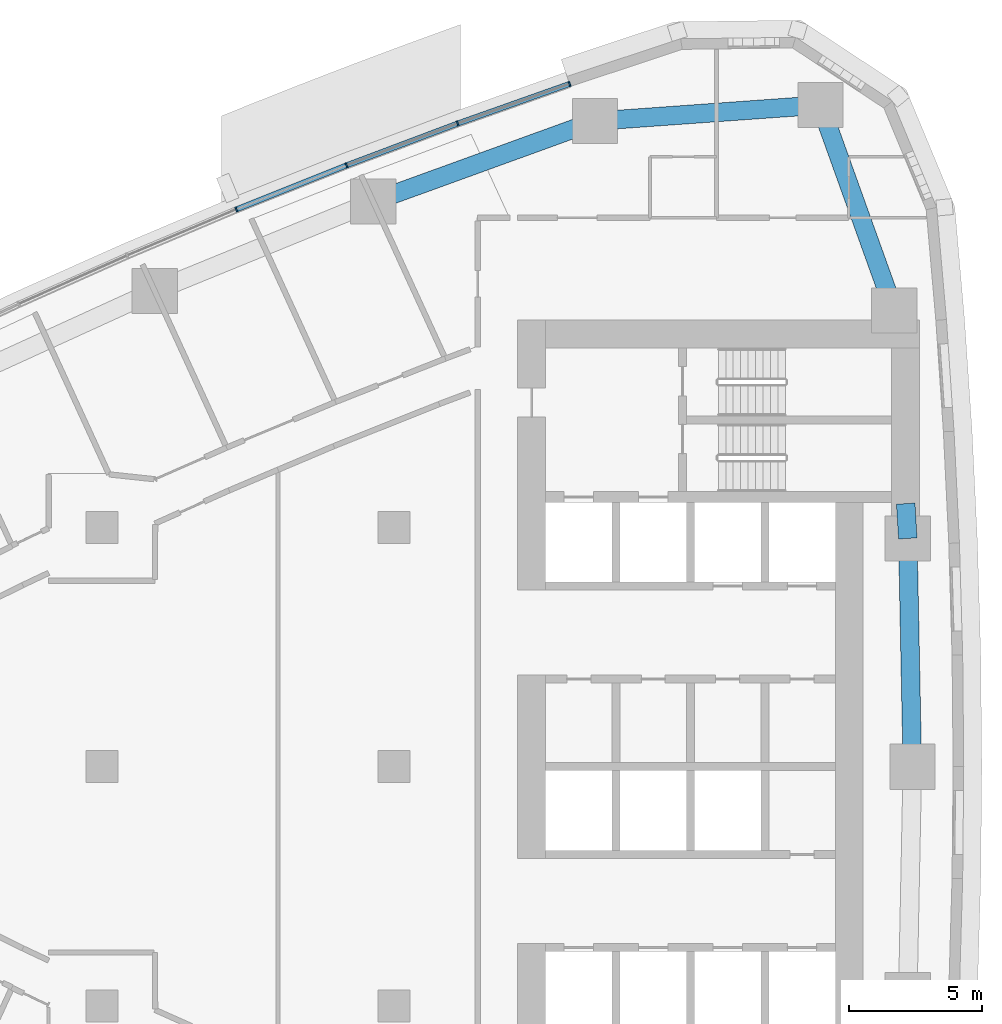
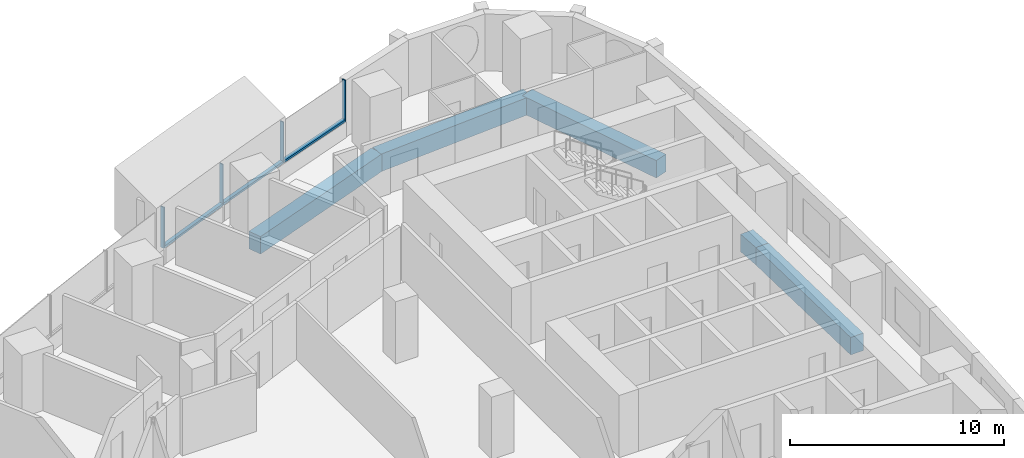
# One storey, part 6 of 17: 7 members, 5 beams, 2 elements without a shape of their own.
"""IFC4 building model written with IfcOpenShell, lengths in metres."""

from ifc_helpers import new_model, si_unit, direction, frame, origin, origin_2d, place, context, subcontext, project, spatial, rectangle, extrude, material, layer, layer_set, material_profile, profile_set, type_object, element, aggregate, save


model = new_model("IFC4")

# Units and contexts
model_context = context("Model", 3, precision=1e-05, world=origin(), true_north=direction((0.0, 1.0)))
body_context = subcontext(model_context, "Body", "Model", "MODEL_VIEW")
ifc_project = project(units=[si_unit("LENGTHUNIT", "METRE"), si_unit("AREAUNIT", "SQUARE_METRE"), si_unit("VOLUMEUNIT", "CUBIC_METRE"), si_unit("PLANEANGLEUNIT", "RADIAN"), si_unit("MASSUNIT", "GRAM", prefix="KILO")], contexts=[model_context])

# Site, building, storey
site_placement = place(None, origin())
site = spatial("IfcSite", under=ifc_project, at=site_placement, CompositionType="ELEMENT")
building_placement = place(site_placement, origin())
building = spatial("IfcBuilding", under=site, at=building_placement, Name="Ostrand Prow Hotel Tower", CompositionType="ELEMENT")
storey_placement = place(building_placement, frame((0.0, 0.0, 88.449951171875)))
storey = spatial("IfcBuildingStorey", under=building, at=storey_placement, Name="L20", CompositionType="ELEMENT", Elevation=88.449951171875)

# Beams
ifc_material_1 = material(Name="Concrete C80/95", Category="concrete")
ifc_material_profile_1 = material_profile(ifc_material_1, rectangle(XDim=0.699951171875, YDim=1.0, at=origin_2d()), Name="RC 700x1000")
ifc_profile_set_1 = profile_set([ifc_material_profile_1], Name="Concrete C80/95")
beam_type = type_object("IfcBeamType", Name="Edge beam 700x1000 C80/95", PredefinedType="SPANDREL", material=ifc_profile_set_1)
beam_1_placement = place(storey_placement, frame((64.5, 0.0, -0.800048828125), z_axis=(-0.019922705812, 0.9998015232, 0.0), x_axis=(-0.9998015232, -0.019922705812, 0.0)))
element("IfcBeam", 1, at=beam_1_placement, inside=storey, type_object=beam_type, Name="Edge beam B3-B4", PredefinedType="SPANDREL", context=body_context, shape_type="SweptSolid", body=[
    extrude(rectangle(XDim=0.699951171875, YDim=1.0, at=origin_2d()), origin(), (0.0, 0.0, 1.0), 8.59033203125),
])
beam_2_placement = place(storey_placement, frame((64.328857421875, 8.588623046875, -0.800048828125), z_axis=(-0.059658953766, 0.998218818314, 0.0), x_axis=(-0.998218818314, -0.059658953766, 0.0)))
element("IfcBeam", 2, at=beam_2_placement, inside=storey, type_object=beam_type, Name="Edge beam B4-B5", PredefinedType="SPANDREL", context=body_context, shape_type="SweptSolid", body=[
    extrude(rectangle(XDim=0.699951171875, YDim=1.0, at=origin_2d()), origin(), (0.0, 0.0, 1.0), 1.313720703125),
])
beam_3_placement = place(storey_placement, frame((63.815673828125, 17.16357421875, -0.800048828125), z_axis=(-0.337815484063, 0.941212355809, 0.0), x_axis=(-0.941212355809, -0.337815484063, 0.0)))
element("IfcBeam", 3, at=beam_3_placement, inside=storey, type_object=beam_type, Name="Edge beam B5-NE", PredefinedType="SPANDREL", context=body_context, shape_type="SweptSolid", body=[
    extrude(rectangle(XDim=0.699951171875, YDim=1.0, at=origin_2d()), origin(), (0.0, 0.0, 1.0), 8.21630859375),
])
beam_4_placement = place(storey_placement, frame((61.0400390625, 24.89697265625, -0.800048828125), z_axis=(-0.99747195063, -0.071061295414, 0.0), x_axis=(0.071061295414, -0.99747195063, 0.0)))
element("IfcBeam", 4, at=beam_4_placement, inside=storey, type_object=beam_type, Name="Edge beam NE-N1", PredefinedType="SPANDREL", context=body_context, shape_type="SweptSolid", body=[
    extrude(rectangle(XDim=0.699951171875, YDim=1.0, at=origin_2d()), origin(), (0.0, 0.0, 1.0), 8.499755859375),
])
beam_5_placement = place(storey_placement, frame((52.561767578125, 24.29296875, -0.800048828125), z_axis=(-0.940062739321, -0.341001533927, 0.0), x_axis=(0.341001533927, -0.940062739321, 0.0)))
element("IfcBeam", 5, at=beam_5_placement, inside=storey, type_object=beam_type, Name="Edge beam N1-N2", PredefinedType="SPANDREL", context=body_context, shape_type="SweptSolid", body=[
    extrude(rectangle(XDim=0.699951171875, YDim=1.0, at=origin_2d()), origin(), (0.0, 0.0, 1.0), 8.883544921875),
])

# Curtain wall, members
ifc_material_2 = material(Name="Insulated glass in bronze anodised frame", Category="glass")
ifc_layer = layer(ifc_material_2, 0.199951171875)
ifc_layer_set = layer_set([ifc_layer], Name="Insulated glass in bronze anodised frame")
curtain_wall_type = type_object("IfcCurtainWallType", Name="Strip curtain wall, fritted glass over bronze spandrel", PredefinedType="NOTDEFINED", material=ifc_layer_set)
curtain_wall_1_placement = place(storey_placement, origin())
curtain_wall_1 = element("IfcCurtainWall", 6, at=curtain_wall_1_placement, inside=storey, type_object=curtain_wall_type, Name="CW1 run CWN1", PredefinedType="NOTDEFINED")
ifc_material_3 = material(Name="Bronze anodised aluminium", Category="aluminium")
ifc_material_profile_2 = material_profile(ifc_material_3, rectangle(XDim=0.199951171875, YDim=0.06005859375, at=origin_2d()), Name="Mullion 60x200 bronze anodised aluminium")
ifc_profile_set_2 = profile_set([ifc_material_profile_2], Name="Bronze anodised aluminium")
member_type_1 = type_object("IfcMemberType", Name="Mullion 60x200 bronze anodised aluminium", PredefinedType="MULLION", material=ifc_profile_set_2)
member_1_placement = place(storey_placement, frame((51.601318359375, 25.692138671875, 0.900146484375), z_axis=(0.0, 0.0, 1.0), x_axis=(0.333495894542, -0.942751551748, 0.0)))
member_1 = element("IfcMember", 7, at=member_1_placement, type_object=member_type_1, Name="CW1 mullion 1", PredefinedType="MULLION", context=body_context, shape_type="SweptSolid", body=[
    extrude(rectangle(XDim=0.199951171875, YDim=0.06005859375, at=origin_2d()), origin(), (0.0, 0.0, 1.0), 2.349853515625),
])
member_2_placement = place(storey_placement, frame((47.390869140625, 24.202880859375, 0.900146484375), z_axis=(0.0, 0.0, 1.0), x_axis=(0.35230885193, -0.935883792387, 0.0)))
member_2 = element("IfcMember", 8, at=member_2_placement, type_object=member_type_1, Name="CW1 mullion 2", PredefinedType="MULLION", context=body_context, shape_type="SweptSolid", body=[
    extrude(rectangle(XDim=0.199951171875, YDim=0.06005859375, at=origin_2d()), origin(), (0.0, 0.0, 1.0), 2.349853515625),
])
member_3_placement = place(storey_placement, frame((43.211181640625, 22.62939453125, 0.900146484375), z_axis=(0.0, 0.0, 1.0), x_axis=(0.35230885193, -0.935883792387, 0.0)))
member_3 = element("IfcMember", 9, at=member_3_placement, type_object=member_type_1, Name="CW1 mullion 3", PredefinedType="MULLION", context=body_context, shape_type="SweptSolid", body=[
    extrude(rectangle(XDim=0.199951171875, YDim=0.06005859375, at=origin_2d()), origin(), (0.0, 0.0, 1.0), 2.349853515625),
])

# Curtain wall, member
curtain_wall_2_placement = place(storey_placement, origin())
curtain_wall_2 = element("IfcCurtainWall", 10, at=curtain_wall_2_placement, inside=storey, type_object=curtain_wall_type, Name="CW1 run CWN2", PredefinedType="NOTDEFINED")
member_4_placement = place(storey_placement, frame((39.06396484375, 20.97265625, 0.900146484375), z_axis=(0.0, 0.0, 1.0), x_axis=(0.389506566255, -0.921023688536, 0.0)))
member_4 = element("IfcMember", 11, at=member_4_placement, type_object=member_type_1, Name="CW1 mullion 2", PredefinedType="MULLION", context=body_context, shape_type="SweptSolid", body=[
    extrude(rectangle(XDim=0.199951171875, YDim=0.06005859375, at=origin_2d()), origin(), (0.0, 0.0, 1.0), 2.349853515625),
])

# Member
ifc_material_4 = material(Name="Bronze anodised aluminium", Category="aluminium")
ifc_material_profile_3 = material_profile(ifc_material_4, rectangle(XDim=0.199951171875, YDim=0.1201171875, at=origin_2d()), Name="Transom 120x200 bronze anodised aluminium")
ifc_profile_set_3 = profile_set([ifc_material_profile_3], Name="Bronze anodised aluminium")
member_type_2 = type_object("IfcMemberType", Name="Transom 120x200 bronze anodised aluminium", PredefinedType="USERDEFINED", material=ifc_profile_set_3)
member_5_placement = place(storey_placement, frame((51.572998046875, 25.68212890625, 0.9599609375), z_axis=(-0.942763014139, -0.333463490013, 0.0), x_axis=(0.333463490013, -0.942763014139, 0.0)))
member_5 = element("IfcMember", 12, at=member_5_placement, type_object=member_type_2, Name="CW1 transom 1.1", ObjectType="TRANSOM", PredefinedType="USERDEFINED", context=body_context, shape_type="SweptSolid", body=[
    extrude(rectangle(XDim=0.199951171875, YDim=0.1201171875, at=origin_2d()), origin(), (0.0, 0.0, 1.0), 4.406005859375),
])

member_6_placement = place(storey_placement, frame((47.36279296875, 24.1923828125, 0.9599609375), z_axis=(-0.935868398429, -0.352349742191, 0.0), x_axis=(0.352349742191, -0.935868398429, 0.0)))
member_6 = element("IfcMember", 13, at=member_6_placement, type_object=member_type_2, Name="CW1 transom 2.1", ObjectType="TRANSOM", PredefinedType="USERDEFINED", context=body_context, shape_type="SweptSolid", body=[
    extrude(rectangle(XDim=0.199951171875, YDim=0.1201171875, at=origin_2d()), origin(), (0.0, 0.0, 1.0), 4.406005859375),
])

aggregate(curtain_wall_1, [member_1, member_2, member_3, member_5, member_6])

member_7_placement = place(storey_placement, frame((43.183349609375, 22.618408203125, 0.9599609375), z_axis=(-0.928621833209, -0.371027614724, 0.0), x_axis=(0.371027614724, -0.928621833209, 0.0)))
member_7 = element("IfcMember", 14, at=member_7_placement, type_object=member_type_2, Name="CW1 transom 1.1", ObjectType="TRANSOM", PredefinedType="USERDEFINED", context=body_context, shape_type="SweptSolid", body=[
    extrude(rectangle(XDim=0.199951171875, YDim=0.1201171875, at=origin_2d()), origin(), (0.0, 0.0, 1.0), 4.406005859375),
])

aggregate(curtain_wall_2, [member_4, member_7])

save(model, "model.ifc")
